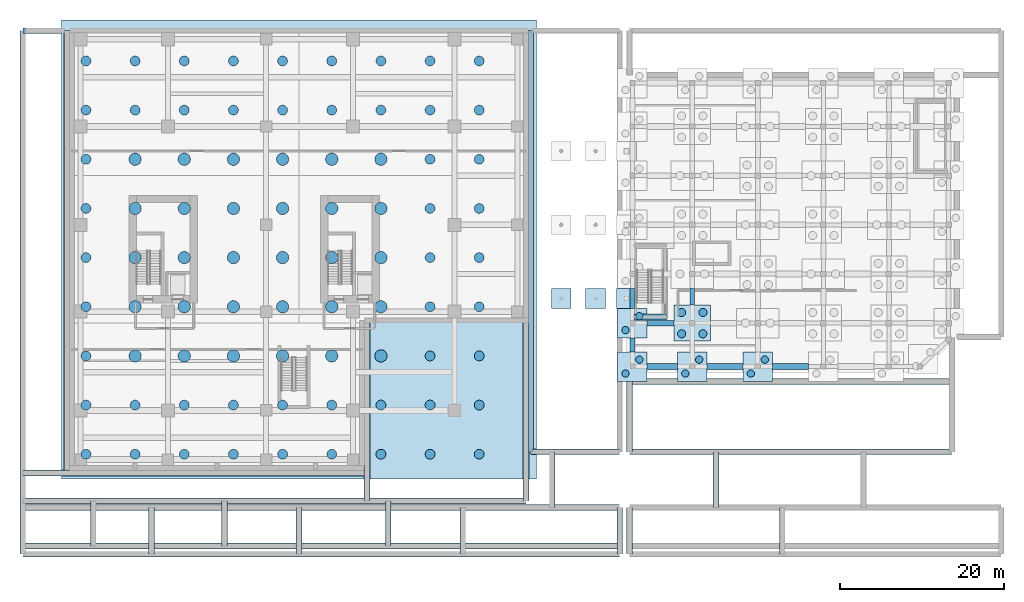
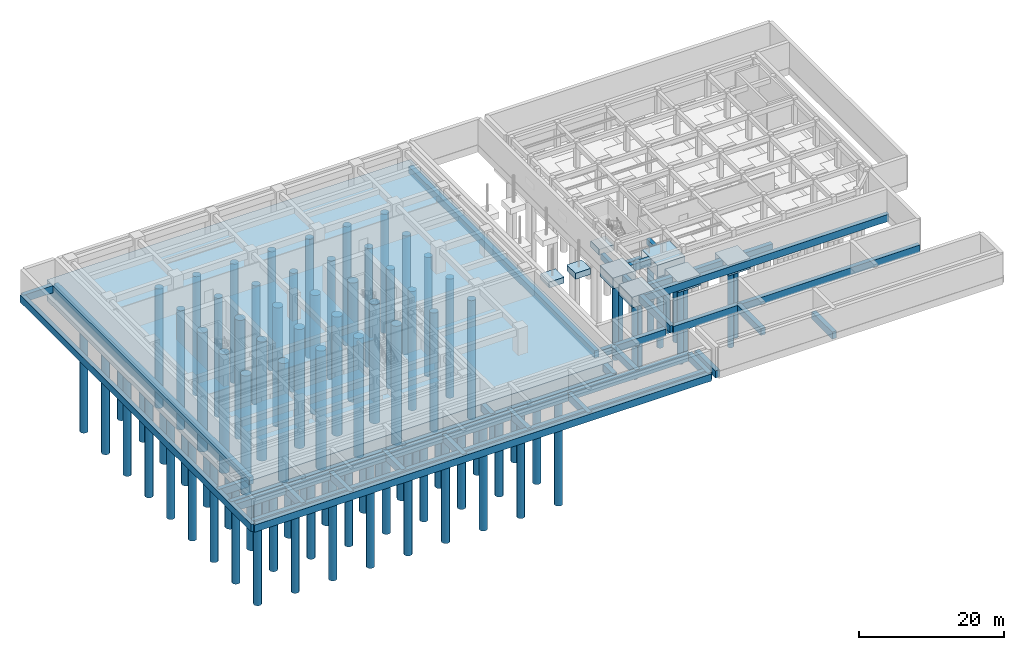
# One storey, part 1 of 14: 93 piles, 43 footings.
"""IFC4 building model written with IfcOpenShell, lengths in metres."""

from ifc_helpers import new_model, si_unit, direction, frame, origin, origin_2d, place, context, subcontext, project, spatial, rectangle, circle, extrude, source, transform, mapped, material, material_profile, profile_set, type_object, element, save


model = new_model("IFC4")

# Units and contexts
model_context = context("Model", 3, precision=1e-05, world=origin(), true_north=direction((0.0, 1.0)))
body_context = subcontext(model_context, "Body", "Model", "MODEL_VIEW")
ifc_project = project(units=[si_unit("LENGTHUNIT", "METRE"), si_unit("AREAUNIT", "SQUARE_METRE"), si_unit("VOLUMEUNIT", "CUBIC_METRE"), si_unit("PLANEANGLEUNIT", "RADIAN"), si_unit("MASSUNIT", "GRAM", prefix="KILO")], contexts=[model_context])

# Site, building, storey
site_placement = place(None, origin())
site = spatial("IfcSite", under=ifc_project, at=site_placement, CompositionType="ELEMENT")
building_placement = place(site_placement, origin())
building = spatial("IfcBuilding", under=site, at=building_placement, Name="Khoralis Quay Care Tower", CompositionType="ELEMENT")
storey_placement = place(building_placement, frame((0.0, 0.0, -4.5)))
storey = spatial("IfcBuildingStorey", under=building, at=storey_placement, Name="B1", CompositionType="ELEMENT", Elevation=-4.5)

# Footing
ifc_material = material(Name="Concrete C50/60", Category="concrete")
footing_type_1 = type_object("IfcFootingType", Name="FT-RAFT-TWR", PredefinedType="PILE_CAP", material=ifc_material)
shared_shape_1 = source(origin(), body_context, "Body", "SweptSolid", [
    extrude(rectangle(XDim=58.0, YDim=56.0, at=origin_2d()), origin(), (0.0, 0.0, 1.0), 3.5),
])
footing_1_placement = place(storey_placement, frame((28.0, 21.0, -3.5), z_axis=(0.0, 0.0, 1.0), x_axis=(1.0, 0.0, 0.0)))
element("IfcFooting", 1, at=footing_1_placement, inside=storey, type_object=footing_type_1, Name="Tower and Podium Piled Raft RF-T1", PredefinedType="PILE_CAP", context=body_context, shape_type="MappedRepresentation", body=[
    mapped(shared_shape_1, transform((0.0, 0.0, 0.0), scale=1.0)),
])

# Piles
ifc_material_profile_1 = material_profile(ifc_material, circle(Radius=0.60009765625, at=origin_2d()), Name="Concrete C50/60")
ifc_profile_set_1 = profile_set([ifc_material_profile_1], Name="Concrete C50/60")
pile_type_1 = type_object("IfcPileType", Name="PL-BORED-1200", PredefinedType="BORED", material=ifc_profile_set_1)
shared_shape_2 = source(origin(), body_context, "Body", "SweptSolid", [
    extrude(circle(Radius=0.60009765625, at=origin_2d()), origin(), (0.0, 0.0, 1.0), 20.10009765625),
])
for number, where, z_axis, x_axis, name in (
    (2, (2.0, -4.0, -3.39990234375), (0.0, 0.0, -1.0), (1.0, 0.0, 0.0), "Tower Bored Pile 001"),
    (3, (2.0, 2.0, -3.39990234375), (0.0, 0.0, -1.0), (1.0, 0.0, 0.0), "Tower Bored Pile 002"),
    (4, (2.0, 8.0, -3.39990234375), (0.0, 0.0, -1.0), (1.0, 0.0, 0.0), "Tower Bored Pile 003"),
    (5, (2.0, 14.0, -3.39990234375), (0.0, 0.0, -1.0), (1.0, 0.0, 0.0), "Tower Bored Pile 004"),
    (6, (2.0, 20.0, -3.39990234375), (0.0, 0.0, -1.0), (1.0, 0.0, 0.0), "Tower Bored Pile 005"),
    (7, (2.0, 26.0, -3.39990234375), (0.0, 0.0, -1.0), (1.0, 0.0, 0.0), "Tower Bored Pile 006"),
    (8, (2.0, 32.0, -3.39990234375), (0.0, 0.0, -1.0), (1.0, 0.0, 0.0), "Tower Bored Pile 007"),
    (9, (2.0, 38.0, -3.39990234375), (0.0, 0.0, -1.0), (1.0, 0.0, 0.0), "Tower Bored Pile 008"),
    (10, (2.0, 44.0, -3.39990234375), (0.0, 0.0, -1.0), (1.0, 0.0, 0.0), "Tower Bored Pile 009"),
    (11, (8.0, -4.0, -3.39990234375), (0.0, 0.0, -1.0), (1.0, 0.0, 0.0), "Tower Bored Pile 010"),
    (12, (8.0, 2.0, -3.39990234375), (0.0, 0.0, -1.0), (1.0, 0.0, 0.0), "Tower Bored Pile 011"),
    (13, (8.0, 38.0, -3.39990234375), (0.0, 0.0, -1.0), (1.0, 0.0, 0.0), "Tower Bored Pile 017"),
    (14, (8.0, 44.0, -3.39990234375), (0.0, 0.0, -1.0), (1.0, 0.0, 0.0), "Tower Bored Pile 018"),
    (15, (14.0, -4.0, -3.39990234375), (0.0, 0.0, -1.0), (1.0, 0.0, 0.0), "Tower Bored Pile 019"),
    (16, (14.0, 2.0, -3.39990234375), (0.0, 0.0, -1.0), (1.0, 0.0, 0.0), "Tower Bored Pile 020"),
    (17, (14.0, 38.0, -3.39990234375), (0.0, 0.0, -1.0), (1.0, 0.0, 0.0), "Tower Bored Pile 026"),
    (18, (14.0, 44.0, -3.39990234375), (0.0, 0.0, -1.0), (1.0, 0.0, 0.0), "Tower Bored Pile 027"),
    (19, (20.0, -4.0, -3.39990234375), (0.0, 0.0, -1.0), (1.0, 0.0, 0.0), "Tower Bored Pile 028"),
    (20, (20.0, 2.0, -3.39990234375), (0.0, 0.0, -1.0), (1.0, 0.0, 0.0), "Tower Bored Pile 029"),
    (21, (20.0, 38.0, -3.39990234375), (0.0, 0.0, -1.0), (1.0, 0.0, 0.0), "Tower Bored Pile 035"),
    (22, (20.0, 44.0, -3.39990234375), (0.0, 0.0, -1.0), (1.0, 0.0, 0.0), "Tower Bored Pile 036"),
    (23, (26.0, -4.0, -3.39990234375), (0.0, 0.0, -1.0), (1.0, 0.0, 0.0), "Tower Bored Pile 037"),
    (24, (26.0, 2.0, -3.39990234375), (0.0, 0.0, -1.0), (1.0, 0.0, 0.0), "Tower Bored Pile 038"),
    (25, (26.0, 38.0, -3.39990234375), (0.0, 0.0, -1.0), (1.0, 0.0, 0.0), "Tower Bored Pile 044"),
    (26, (26.0, 44.0, -3.39990234375), (0.0, 0.0, -1.0), (1.0, 0.0, 0.0), "Tower Bored Pile 045"),
    (27, (32.0, -4.0, -3.39990234375), (0.0, 0.0, -1.0), (1.0, 0.0, 0.0), "Tower Bored Pile 046"),
    (28, (32.0, 2.0, -3.39990234375), (0.0, 0.0, -1.0), (1.0, 0.0, 0.0), "Tower Bored Pile 047"),
    (29, (32.0, 38.0, -3.39990234375), (0.0, 0.0, -1.0), (1.0, 0.0, 0.0), "Tower Bored Pile 053"),
    (30, (32.0, 44.0, -3.39990234375), (0.0, 0.0, -1.0), (1.0, 0.0, 0.0), "Tower Bored Pile 054"),
    (31, (38.0, -4.0, -3.39990234375), (0.0, 0.0, -1.0), (1.0, 0.0, 0.0), "Tower Bored Pile 055"),
    (32, (38.0, 2.0, -3.39990234375), (0.0, 0.0, -1.0), (1.0, 0.0, 0.0), "Tower Bored Pile 056"),
    (33, (38.0, 38.0, -3.39990234375), (0.0, 0.0, -1.0), (1.0, 0.0, 0.0), "Tower Bored Pile 062"),
    (34, (38.0, 44.0, -3.39990234375), (0.0, 0.0, -1.0), (1.0, 0.0, 0.0), "Tower Bored Pile 063"),
    (35, (44.0, -4.0, -3.39990234375), (0.0, 0.0, -1.0), (1.0, 0.0, 0.0), "Tower Bored Pile 064"),
    (36, (44.0, 2.0, -3.39990234375), (0.0, 0.0, -1.0), (1.0, 0.0, 0.0), "Tower Bored Pile 065"),
    (37, (44.0, 8.0, -3.39990234375), (0.0, 0.0, -1.0), (1.0, 0.0, 0.0), "Tower Bored Pile 066"),
    (38, (44.0, 14.0, -3.39990234375), (0.0, 0.0, -1.0), (1.0, 0.0, 0.0), "Tower Bored Pile 067"),
    (39, (44.0, 20.0, -3.39990234375), (0.0, 0.0, -1.0), (1.0, 0.0, 0.0), "Tower Bored Pile 068"),
    (40, (44.0, 26.0, -3.39990234375), (0.0, 0.0, -1.0), (1.0, 0.0, 0.0), "Tower Bored Pile 069"),
    (41, (44.0, 32.0, -3.39990234375), (0.0, 0.0, -1.0), (1.0, 0.0, 0.0), "Tower Bored Pile 070"),
    (42, (44.0, 38.0, -3.39990234375), (0.0, 0.0, -1.0), (1.0, 0.0, 0.0), "Tower Bored Pile 071"),
    (43, (44.0, 44.0, -3.39990234375), (0.0, 0.0, -1.0), (1.0, 0.0, 0.0), "Tower Bored Pile 072"),
    (44, (50.0, -4.0, -3.39990234375), (0.0, 0.0, -1.0), (1.0, 0.0, 0.0), "Tower Bored Pile 073"),
    (45, (50.0, 2.0, -3.39990234375), (0.0, 0.0, -1.0), (1.0, 0.0, 0.0), "Tower Bored Pile 074"),
    (46, (50.0, 8.0, -3.39990234375), (0.0, 0.0, -1.0), (1.0, 0.0, 0.0), "Tower Bored Pile 075"),
    (47, (50.0, 14.0, -3.39990234375), (0.0, 0.0, -1.0), (1.0, 0.0, 0.0), "Tower Bored Pile 076"),
    (48, (50.0, 20.0, -3.39990234375), (0.0, 0.0, -1.0), (1.0, 0.0, 0.0), "Tower Bored Pile 077"),
    (49, (50.0, 26.0, -3.39990234375), (0.0, 0.0, -1.0), (1.0, 0.0, 0.0), "Tower Bored Pile 078"),
    (50, (50.0, 32.0, -3.39990234375), (0.0, 0.0, -1.0), (1.0, 0.0, 0.0), "Tower Bored Pile 079"),
    (51, (50.0, 38.0, -3.39990234375), (0.0, 0.0, -1.0), (1.0, 0.0, 0.0), "Tower Bored Pile 080"),
    (52, (50.0, 44.0, -3.39990234375), (0.0, 0.0, -1.0), (1.0, 0.0, 0.0), "Tower Bored Pile 081"),
):
    element("IfcPile", number, at=place(storey_placement, frame(where, z_axis=z_axis, x_axis=x_axis)), inside=storey, type_object=pile_type_1, Name=name, PredefinedType="BORED", context=body_context, shape_type="MappedRepresentation", body=[
        mapped(shared_shape_2, transform((0.0, 0.0, 0.0), scale=1.0)),
    ])
ifc_material_profile_2 = material_profile(ifc_material, circle(Radius=0.75, at=origin_2d()), Name="Concrete C50/60")
ifc_profile_set_2 = profile_set([ifc_material_profile_2], Name="Concrete C50/60")
pile_type_2 = type_object("IfcPileType", Name="PL-BORED-1500", PredefinedType="BORED", material=ifc_profile_set_2)
shared_shape_3 = source(origin(), body_context, "Body", "SweptSolid", [
    extrude(circle(Radius=0.75, at=origin_2d()), origin(), (0.0, 0.0, 1.0), 20.10009765625),
])
for number, where, z_axis, x_axis, name in (
    (53, (8.0, 8.0, -3.39990234375), (0.0, 0.0, -1.0), (1.0, 0.0, 0.0), "Tower Bored Pile 012"),
    (54, (8.0, 14.0, -3.39990234375), (0.0, 0.0, -1.0), (1.0, 0.0, 0.0), "Tower Bored Pile 013"),
    (55, (8.0, 20.0, -3.39990234375), (0.0, 0.0, -1.0), (1.0, 0.0, 0.0), "Tower Bored Pile 014"),
    (56, (8.0, 26.0, -3.39990234375), (0.0, 0.0, -1.0), (1.0, 0.0, 0.0), "Tower Bored Pile 015"),
    (57, (8.0, 32.0, -3.39990234375), (0.0, 0.0, -1.0), (1.0, 0.0, 0.0), "Tower Bored Pile 016"),
    (58, (14.0, 8.0, -3.39990234375), (0.0, 0.0, -1.0), (1.0, 0.0, 0.0), "Tower Bored Pile 021"),
    (59, (14.0, 14.0, -3.39990234375), (0.0, 0.0, -1.0), (1.0, 0.0, 0.0), "Tower Bored Pile 022"),
    (60, (14.0, 20.0, -3.39990234375), (0.0, 0.0, -1.0), (1.0, 0.0, 0.0), "Tower Bored Pile 023"),
    (61, (14.0, 26.0, -3.39990234375), (0.0, 0.0, -1.0), (1.0, 0.0, 0.0), "Tower Bored Pile 024"),
    (62, (14.0, 32.0, -3.39990234375), (0.0, 0.0, -1.0), (1.0, 0.0, 0.0), "Tower Bored Pile 025"),
    (63, (20.0, 8.0, -3.39990234375), (0.0, 0.0, -1.0), (1.0, 0.0, 0.0), "Tower Bored Pile 030"),
    (64, (20.0, 14.0, -3.39990234375), (0.0, 0.0, -1.0), (1.0, 0.0, 0.0), "Tower Bored Pile 031"),
    (65, (20.0, 20.0, -3.39990234375), (0.0, 0.0, -1.0), (1.0, 0.0, 0.0), "Tower Bored Pile 032"),
    (66, (20.0, 26.0, -3.39990234375), (0.0, 0.0, -1.0), (1.0, 0.0, 0.0), "Tower Bored Pile 033"),
    (67, (20.0, 32.0, -3.39990234375), (0.0, 0.0, -1.0), (1.0, 0.0, 0.0), "Tower Bored Pile 034"),
    (68, (26.0, 8.0, -3.39990234375), (0.0, 0.0, -1.0), (1.0, 0.0, 0.0), "Tower Bored Pile 039"),
    (69, (26.0, 14.0, -3.39990234375), (0.0, 0.0, -1.0), (1.0, 0.0, 0.0), "Tower Bored Pile 040"),
    (70, (26.0, 20.0, -3.39990234375), (0.0, 0.0, -1.0), (1.0, 0.0, 0.0), "Tower Bored Pile 041"),
    (71, (26.0, 26.0, -3.39990234375), (0.0, 0.0, -1.0), (1.0, 0.0, 0.0), "Tower Bored Pile 042"),
    (72, (26.0, 32.0, -3.39990234375), (0.0, 0.0, -1.0), (1.0, 0.0, 0.0), "Tower Bored Pile 043"),
    (73, (32.0, 8.0, -3.39990234375), (0.0, 0.0, -1.0), (1.0, 0.0, 0.0), "Tower Bored Pile 048"),
    (74, (32.0, 14.0, -3.39990234375), (0.0, 0.0, -1.0), (1.0, 0.0, 0.0), "Tower Bored Pile 049"),
    (75, (32.0, 20.0, -3.39990234375), (0.0, 0.0, -1.0), (1.0, 0.0, 0.0), "Tower Bored Pile 050"),
    (76, (32.0, 26.0, -3.39990234375), (0.0, 0.0, -1.0), (1.0, 0.0, 0.0), "Tower Bored Pile 051"),
    (77, (32.0, 32.0, -3.39990234375), (0.0, 0.0, -1.0), (1.0, 0.0, 0.0), "Tower Bored Pile 052"),
    (78, (38.0, 8.0, -3.39990234375), (0.0, 0.0, -1.0), (1.0, 0.0, 0.0), "Tower Bored Pile 057"),
    (79, (38.0, 14.0, -3.39990234375), (0.0, 0.0, -1.0), (1.0, 0.0, 0.0), "Tower Bored Pile 058"),
    (80, (38.0, 20.0, -3.39990234375), (0.0, 0.0, -1.0), (1.0, 0.0, 0.0), "Tower Bored Pile 059"),
    (81, (38.0, 26.0, -3.39990234375), (0.0, 0.0, -1.0), (1.0, 0.0, 0.0), "Tower Bored Pile 060"),
    (82, (38.0, 32.0, -3.39990234375), (0.0, 0.0, -1.0), (1.0, 0.0, 0.0), "Tower Bored Pile 061"),
):
    element("IfcPile", number, at=place(storey_placement, frame(where, z_axis=z_axis, x_axis=x_axis)), inside=storey, type_object=pile_type_2, Name=name, PredefinedType="BORED", context=body_context, shape_type="MappedRepresentation", body=[
        mapped(shared_shape_3, transform((0.0, 0.0, 0.0), scale=1.0)),
    ])

# Footings
footing_type_2 = type_object("IfcFootingType", Name="FT-PC-3600", PredefinedType="PILE_CAP", material=ifc_material)
shared_shape_4 = source(origin(), body_context, "Body", "SweptSolid", [
    extrude(rectangle(XDim=3.60009765625, YDim=3.60009765625, at=origin_2d()), origin(), (0.0, 0.0, 1.0), 1.800048828125),
])
for number, where, z_axis, x_axis, name in (
    (83, (68.699951171875, 6.699951171875, -1.7998046875), (0.0, 0.0, 1.0), (1.0, 0.0, 0.0), "School Pile Cap 01"),
    (84, (68.699951171875, 12.0, -1.7998046875), (0.0, 0.0, 1.0), (1.0, 0.0, 0.0), "School Pile Cap 02"),
    (85, (76.0, 6.699951171875, -1.7998046875), (0.0, 0.0, 1.0), (1.0, 0.0, 0.0), "School Pile Cap 08"),
    (86, (84.0, 6.699951171875, -1.7998046875), (0.0, 0.0, 1.0), (1.0, 0.0, 0.0), "School Pile Cap 15"),
):
    element("IfcFooting", number, at=place(storey_placement, frame(where, z_axis=z_axis, x_axis=x_axis)), inside=storey, type_object=footing_type_2, Name=name, PredefinedType="PILE_CAP", context=body_context, shape_type="MappedRepresentation", body=[
        mapped(shared_shape_4, transform((0.0, 0.0, 0.0), scale=1.0)),
    ])

# Piles
ifc_material_profile_3 = material_profile(ifc_material, circle(Radius=0.449951171875, at=origin_2d()), Name="Concrete C50/60")
ifc_profile_set_3 = profile_set([ifc_material_profile_3], Name="Concrete C50/60")
pile_type_3 = type_object("IfcPileType", Name="PL-BORED-900", PredefinedType="BORED", material=ifc_profile_set_3)
shared_shape_5 = source(origin(), body_context, "Body", "SweptSolid", [
    extrude(circle(Radius=0.449951171875, at=origin_2d()), origin(), (0.0, 0.0, 1.0), 12.800048828125),
])
for number, where, z_axis, x_axis, name in (
    (87, (67.85009765625, 5.85009765625, -1.699951171875), (0.0, 0.0, -1.0), (1.0, 0.0, 0.0), "School Bored Pile 001"),
    (88, (69.550048828125, 7.550048828125, -1.699951171875), (0.0, 0.0, -1.0), (1.0, 0.0, 0.0), "School Bored Pile 002"),
    (89, (67.85009765625, 11.14990234375, -1.699951171875), (0.0, 0.0, -1.0), (1.0, 0.0, 0.0), "School Bored Pile 003"),
    (90, (69.550048828125, 12.85009765625, -1.699951171875), (0.0, 0.0, -1.0), (1.0, 0.0, 0.0), "School Bored Pile 004"),
    (91, (75.14990234375, 5.85009765625, -1.699951171875), (0.0, 0.0, -1.0), (1.0, 0.0, 0.0), "School Bored Pile 015"),
    (92, (76.85009765625, 7.550048828125, -1.699951171875), (0.0, 0.0, -1.0), (1.0, 0.0, 0.0), "School Bored Pile 016"),
    (93, (83.14990234375, 5.85009765625, -1.699951171875), (0.0, 0.0, -1.0), (1.0, 0.0, 0.0), "School Bored Pile 035"),
    (94, (84.85009765625, 7.550048828125, -1.699951171875), (0.0, 0.0, -1.0), (1.0, 0.0, 0.0), "School Bored Pile 036"),
):
    element("IfcPile", number, at=place(storey_placement, frame(where, z_axis=z_axis, x_axis=x_axis)), inside=storey, type_object=pile_type_3, Name=name, PredefinedType="BORED", context=body_context, shape_type="MappedRepresentation", body=[
        mapped(shared_shape_5, transform((0.0, 0.0, 0.0), scale=1.0)),
    ])

# Footing
footing_type_3 = type_object("IfcFootingType", Name="FT-PC-4400", PredefinedType="PILE_CAP", material=ifc_material)
shared_shape_6 = source(origin(), body_context, "Body", "SweptSolid", [
    extrude(rectangle(XDim=4.39990234375, YDim=4.39990234375, at=origin_2d()), origin(), (0.0, 0.0, 1.0), 2.0),
])
footing_2_placement = place(storey_placement, frame((76.0, 12.0, -2.0), z_axis=(0.0, 0.0, 1.0), x_axis=(1.0, 0.0, 0.0)))
element("IfcFooting", 95, at=footing_2_placement, inside=storey, type_object=footing_type_3, Name="School Pile Cap 09", PredefinedType="PILE_CAP", context=body_context, shape_type="MappedRepresentation", body=[
    mapped(shared_shape_6, transform((0.0, 0.0, 0.0), scale=1.0)),
])

# Piles
ifc_material_profile_4 = material_profile(ifc_material, circle(Radius=0.5, at=origin_2d()), Name="Concrete C50/60")
ifc_profile_set_4 = profile_set([ifc_material_profile_4], Name="Concrete C50/60")
pile_type_4 = type_object("IfcPileType", Name="PL-BORED-1000", PredefinedType="BORED", material=ifc_profile_set_4)
shared_shape_7 = source(origin(), body_context, "Body", "SweptSolid", [
    extrude(circle(Radius=0.5, at=origin_2d()), origin(), (0.0, 0.0, 1.0), 12.60009765625),
])
for number, where, z_axis, x_axis, name in (
    (96, (74.699951171875, 10.699951171875, -1.89990234375), (0.0, 0.0, -1.0), (1.0, 0.0, 0.0), "School Bored Pile 017"),
    (97, (77.300048828125, 10.699951171875, -1.89990234375), (0.0, 0.0, -1.0), (1.0, 0.0, 0.0), "School Bored Pile 018"),
    (98, (74.699951171875, 13.300048828125, -1.89990234375), (0.0, 0.0, -1.0), (1.0, 0.0, 0.0), "School Bored Pile 019"),
    (99, (77.300048828125, 13.300048828125, -1.89990234375), (0.0, 0.0, -1.0), (1.0, 0.0, 0.0), "School Bored Pile 020"),
):
    element("IfcPile", number, at=place(storey_placement, frame(where, z_axis=z_axis, x_axis=x_axis)), inside=storey, type_object=pile_type_4, Name=name, PredefinedType="BORED", context=body_context, shape_type="MappedRepresentation", body=[
        mapped(shared_shape_7, transform((0.0, 0.0, 0.0), scale=1.0)),
    ])

# Footings
ifc_material_profile_5 = material_profile(ifc_material, rectangle(XDim=0.699951171875, YDim=1.199951171875, at=origin_2d()), Name="Concrete C50/60")
ifc_profile_set_5 = profile_set([ifc_material_profile_5], Name="Concrete C50/60")
footing_type_4 = type_object("IfcFootingType", Name="FT-GB-700X1200", PredefinedType="FOOTING_BEAM", material=ifc_profile_set_5)
shared_shape_8 = source(origin(), body_context, "Body", "SweptSolid", [
    extrude(rectangle(XDim=0.699951171875, YDim=1.199951171875, at=origin_2d()), origin(), (0.0, 0.0, 1.0), 3.699951171875),
])
footing_3_placement = place(storey_placement, frame((70.5, 6.699951171875, -0.60009765625), z_axis=(1.0, 0.0, 0.0), x_axis=(0.0, 1.0, 0.0)))
element("IfcFooting", 100, at=footing_3_placement, inside=storey, type_object=footing_type_4, Name="School Longitudinal Ground Beam 001", PredefinedType="FOOTING_BEAM", context=body_context, shape_type="MappedRepresentation", body=[
    mapped(shared_shape_8, transform((0.0, 0.0, 0.0), scale=1.0)),
])
shared_shape_9 = source(origin(), body_context, "Body", "SweptSolid", [
    extrude(rectangle(XDim=0.699951171875, YDim=1.199951171875, at=origin_2d()), origin(), (0.0, 0.0, 1.0), 4.39990234375),
])
for number, where, z_axis, x_axis, name in (
    (101, (77.800048828125, 6.699951171875, -0.60009765625), (1.0, 0.0, 0.0), (0.0, 1.0, 0.0), "School Longitudinal Ground Beam 002"),
    (102, (85.800048828125, 6.699951171875, -0.60009765625), (1.0, 0.0, 0.0), (0.0, 1.0, 0.0), "School Longitudinal Ground Beam 003"),
):
    element("IfcFooting", number, at=place(storey_placement, frame(where, z_axis=z_axis, x_axis=x_axis)), inside=storey, type_object=footing_type_4, Name=name, PredefinedType="FOOTING_BEAM", context=body_context, shape_type="MappedRepresentation", body=[
        mapped(shared_shape_9, transform((0.0, 0.0, 0.0), scale=1.0)),
    ])
shared_shape_10 = source(origin(), body_context, "Body", "SweptSolid", [
    extrude(rectangle(XDim=0.699951171875, YDim=1.199951171875, at=origin_2d()), origin(), (0.0, 0.0, 1.0), 3.300048828125),
])
footing_4_placement = place(storey_placement, frame((70.5, 12.0, -0.60009765625), z_axis=(1.0, 0.0, 0.0), x_axis=(0.0, 1.0, 0.0)))
element("IfcFooting", 103, at=footing_4_placement, inside=storey, type_object=footing_type_4, Name="School Longitudinal Ground Beam 005", PredefinedType="FOOTING_BEAM", context=body_context, shape_type="MappedRepresentation", body=[
    mapped(shared_shape_10, transform((0.0, 0.0, 0.0), scale=1.0)),
])
ifc_material_profile_6 = material_profile(ifc_material, rectangle(XDim=0.60009765625, YDim=1.0, at=origin_2d()), Name="Concrete C50/60")
ifc_profile_set_6 = profile_set([ifc_material_profile_6], Name="Concrete C50/60")
footing_type_5 = type_object("IfcFootingType", Name="FT-GB-600X1000", PredefinedType="FOOTING_BEAM", material=ifc_profile_set_6)
shared_shape_11 = source(origin(), body_context, "Body", "SweptSolid", [
    extrude(rectangle(XDim=0.60009765625, YDim=1.0, at=origin_2d()), origin(), (0.0, 0.0, 1.0), 1.699951171875),
])
footing_5_placement = place(storey_placement, frame((68.699951171875, 8.5, -0.5), z_axis=(0.0, 1.0, 0.0), x_axis=(-1.0, 0.0, 0.0)))
element("IfcFooting", 104, at=footing_5_placement, inside=storey, type_object=footing_type_5, Name="School Transverse Ground Beam 035", PredefinedType="FOOTING_BEAM", context=body_context, shape_type="MappedRepresentation", body=[
    mapped(shared_shape_11, transform((0.0, 0.0, 0.0), scale=1.0)),
])
shared_shape_12 = source(origin(), body_context, "Body", "SweptSolid", [
    extrude(rectangle(XDim=0.60009765625, YDim=1.0, at=origin_2d()), origin(), (0.0, 0.0, 1.0), 2.39990234375),
])
footing_6_placement = place(storey_placement, frame((68.699951171875, 13.800048828125, -0.5), z_axis=(0.0, 1.0, 0.0), x_axis=(-1.0, 0.0, 0.0)))
element("IfcFooting", 105, at=footing_6_placement, inside=storey, type_object=footing_type_5, Name="School Transverse Ground Beam 036", PredefinedType="FOOTING_BEAM", context=body_context, shape_type="MappedRepresentation", body=[
    mapped(shared_shape_12, transform((0.0, 0.0, 0.0), scale=1.0)),
])
shared_shape_13 = source(origin(), body_context, "Body", "SweptSolid", [
    extrude(rectangle(XDim=0.60009765625, YDim=1.0, at=origin_2d()), origin(), (0.0, 0.0, 1.0), 2.0),
])
footing_7_placement = place(storey_placement, frame((76.0, 14.199951171875, -0.5), z_axis=(0.0, 1.0, 0.0), x_axis=(-1.0, 0.0, 0.0)))
element("IfcFooting", 106, at=footing_7_placement, inside=storey, type_object=footing_type_5, Name="School Transverse Ground Beam 041", PredefinedType="FOOTING_BEAM", context=body_context, shape_type="MappedRepresentation", body=[
    mapped(shared_shape_13, transform((0.0, 0.0, 0.0), scale=1.0)),
])
footing_type_6 = type_object("IfcFootingType", Name="FT-PAD-2400", PredefinedType="PAD_FOOTING", material=ifc_material)
shared_shape_14 = source(origin(), body_context, "Body", "SweptSolid", [
    extrude(rectangle(XDim=2.39990234375, YDim=2.39990234375, at=origin_2d()), origin(), (0.0, 0.0, 1.0), 1.0),
])
for number, where, z_axis, x_axis, name in (
    (107, (60.0, 15.0, -1.0), (0.0, 0.0, 1.0), (1.0, 0.0, 0.0), "Plaza Link Canopy Pad Footing 01"),
    (108, (64.199951171875, 15.0, -1.0), (0.0, 0.0, 1.0), (1.0, 0.0, 0.0), "Plaza Link Canopy Pad Footing 04"),
    (109, (67.97998046875, 15.0, 1.699951171875), (0.0, 0.0, 1.0), (1.0, 0.0, 0.0), "Movement Joint Grade Bearing Seat Plinth 1"),
):
    element("IfcFooting", number, at=place(storey_placement, frame(where, z_axis=z_axis, x_axis=x_axis)), inside=storey, type_object=footing_type_6, Name=name, PredefinedType="PAD_FOOTING", context=body_context, shape_type="MappedRepresentation", body=[
        mapped(shared_shape_14, transform((0.0, 0.0, 0.0), scale=1.0)),
    ])
shared_shape_15 = source(origin(), body_context, "Body", "SweptSolid", [
    extrude(rectangle(XDim=0.699951171875, YDim=1.199951171875, at=origin_2d()), origin(), (0.0, 0.0, 1.0), 5.5),
])
for number, where, z_axis, x_axis, name in (
    (110, (2.89990234375, -15.199951171875, -0.60400390625), (0.0, 1.0, 0.0), (-1.0, 0.0, 0.0), "Quay Substructure Strip Footing Beam 1"),
    (111, (18.89990234375, -15.199951171875, -0.60400390625), (0.0, 1.0, 0.0), (-1.0, 0.0, 0.0), "Quay Substructure Strip Footing Beam 2"),
    (112, (38.89990234375, -15.199951171875, -0.60400390625), (0.0, 1.0, 0.0), (-1.0, 0.0, 0.0), "Quay Substructure Strip Footing Beam 3"),
):
    element("IfcFooting", number, at=place(storey_placement, frame(where, z_axis=z_axis, x_axis=x_axis)), inside=storey, type_object=footing_type_4, Name=name, PredefinedType="FOOTING_BEAM", context=body_context, shape_type="MappedRepresentation", body=[
        mapped(shared_shape_15, transform((0.0, 0.0, 0.0), scale=1.0)),
    ])
shared_shape_16 = source(origin(), body_context, "Body", "SweptSolid", [
    extrude(rectangle(XDim=0.699951171875, YDim=1.199951171875, at=origin_2d()), origin(), (0.0, 0.0, 1.0), 6.800048828125),
])
for number, where, z_axis, x_axis, name in (
    (113, (58.89990234375, -10.5, -0.60400390625), (0.0, 1.0, 0.0), (-1.0, 0.0, 0.0), "Quay Substructure Strip Footing Beam 4"),
    (114, (78.89990234375, -10.5, -0.60400390625), (0.0, 1.0, 0.0), (-1.0, 0.0, 0.0), "Quay Substructure Strip Footing Beam 5"),
):
    element("IfcFooting", number, at=place(storey_placement, frame(where, z_axis=z_axis, x_axis=x_axis)), inside=storey, type_object=footing_type_4, Name=name, PredefinedType="FOOTING_BEAM", context=body_context, shape_type="MappedRepresentation", body=[
        mapped(shared_shape_16, transform((0.0, 0.0, 0.0), scale=1.0)),
    ])
shared_shape_17 = source(origin(), body_context, "Body", "SweptSolid", [
    extrude(rectangle(XDim=0.699951171875, YDim=1.199951171875, at=origin_2d()), origin(), (0.0, 0.0, 1.0), 63.89990234375),
])
footing_8_placement = place(storey_placement, frame((-5.699951171875, -16.199951171875, -0.60400390625), z_axis=(0.0, 1.0, 0.0), x_axis=(-1.0, 0.0, 0.0)))
element("IfcFooting", 115, at=footing_8_placement, inside=storey, type_object=footing_type_4, Name="Quay Substructure Strip Footing Beam 7", PredefinedType="FOOTING_BEAM", context=body_context, shape_type="MappedRepresentation", body=[
    mapped(shared_shape_17, transform((0.0, 0.0, 0.0), scale=1.0)),
])
shared_shape_18 = source(origin(), body_context, "Body", "SweptSolid", [
    extrude(rectangle(XDim=0.699951171875, YDim=1.199951171875, at=origin_2d()), origin(), (0.0, 0.0, 1.0), 4.68994140625),
])
footing_9_placement = place(storey_placement, frame((-5.699951171875, 47.699951171875, -0.60400390625), z_axis=(1.0, 0.0, 0.0), x_axis=(0.0, 1.0, 0.0)))
element("IfcFooting", 116, at=footing_9_placement, inside=storey, type_object=footing_type_4, Name="Quay Substructure Strip Footing Beam 8", PredefinedType="FOOTING_BEAM", context=body_context, shape_type="MappedRepresentation", body=[
    mapped(shared_shape_18, transform((0.0, 0.0, 0.0), scale=1.0)),
])
shared_shape_19 = source(origin(), body_context, "Body", "SweptSolid", [
    extrude(rectangle(XDim=0.699951171875, YDim=1.199951171875, at=origin_2d()), origin(), (0.0, 0.0, 1.0), 54.0),
])
footing_10_placement = place(storey_placement, frame((-0.300048828125, -6.300048828125, -0.60400390625), z_axis=(0.0, 1.0, 0.0), x_axis=(-1.0, 0.0, 0.0)))
element("IfcFooting", 117, at=footing_10_placement, inside=storey, type_object=footing_type_4, Name="Quay Substructure Strip Footing Beam 9", PredefinedType="FOOTING_BEAM", context=body_context, shape_type="MappedRepresentation", body=[
    mapped(shared_shape_19, transform((0.0, 0.0, 0.0), scale=1.0)),
])
shared_shape_20 = source(origin(), body_context, "Body", "SweptSolid", [
    extrude(rectangle(XDim=0.699951171875, YDim=1.199951171875, at=origin_2d()), origin(), (0.0, 0.0, 1.0), 61.39990234375),
])
footing_11_placement = place(storey_placement, frame((-5.699951171875, -9.699951171875, -0.60400390625), z_axis=(1.0, 0.0, 0.0), x_axis=(0.0, 1.0, 0.0)))
element("IfcFooting", 118, at=footing_11_placement, inside=storey, type_object=footing_type_4, Name="Quay Substructure Strip Footing Beam 10", PredefinedType="FOOTING_BEAM", context=body_context, shape_type="MappedRepresentation", body=[
    mapped(shared_shape_20, transform((0.0, 0.0, 0.0), scale=1.0)),
])
shared_shape_21 = source(origin(), body_context, "Body", "SweptSolid", [
    extrude(rectangle(XDim=0.699951171875, YDim=1.199951171875, at=origin_2d()), origin(), (0.0, 0.0, 1.0), 42.0),
])
footing_12_placement = place(storey_placement, frame((-5.699951171875, -6.300048828125, -0.60400390625), z_axis=(1.0, 0.0, 0.0), x_axis=(0.0, 1.0, 0.0)))
element("IfcFooting", 119, at=footing_12_placement, inside=storey, type_object=footing_type_4, Name="Quay Substructure Strip Footing Beam 11", PredefinedType="FOOTING_BEAM", context=body_context, shape_type="MappedRepresentation", body=[
    mapped(shared_shape_21, transform((0.0, 0.0, 0.0), scale=1.0)),
])
shared_shape_22 = source(origin(), body_context, "Body", "SweptSolid", [
    extrude(rectangle(XDim=0.699951171875, YDim=1.199951171875, at=origin_2d()), origin(), (0.0, 0.0, 1.0), 21.699951171875),
])
for number, where, z_axis, x_axis, name in (
    (120, (36.300048828125, -9.699951171875, -0.60400390625), (0.0, 1.0, 0.0), (-1.0, 0.0, 0.0), "Quay Substructure Strip Footing Beam 12"),
    (121, (55.699951171875, -9.699951171875, -0.60400390625), (0.0, 1.0, 0.0), (-1.0, 0.0, 0.0), "Quay Substructure Strip Footing Beam 13"),
):
    element("IfcFooting", number, at=place(storey_placement, frame(where, z_axis=z_axis, x_axis=x_axis)), inside=storey, type_object=footing_type_4, Name=name, PredefinedType="FOOTING_BEAM", context=body_context, shape_type="MappedRepresentation", body=[
        mapped(shared_shape_22, transform((0.0, 0.0, 0.0), scale=1.0)),
    ])
shared_shape_23 = source(origin(), body_context, "Body", "SweptSolid", [
    extrude(rectangle(XDim=0.699951171875, YDim=1.199951171875, at=origin_2d()), origin(), (0.0, 0.0, 1.0), 51.39990234375),
])
footing_13_placement = place(storey_placement, frame((56.300048828125, -3.699951171875, -0.60400390625), z_axis=(0.0, 1.0, 0.0), x_axis=(-1.0, 0.0, 0.0)))
element("IfcFooting", 122, at=footing_13_placement, inside=storey, type_object=footing_type_4, Name="Quay Substructure Strip Footing Beam 14", PredefinedType="FOOTING_BEAM", context=body_context, shape_type="MappedRepresentation", body=[
    mapped(shared_shape_23, transform((0.0, 0.0, 0.0), scale=1.0)),
])
shared_shape_24 = source(origin(), body_context, "Body", "SweptSolid", [
    extrude(rectangle(XDim=0.699951171875, YDim=1.199951171875, at=origin_2d()), origin(), (0.0, 0.0, 1.0), 10.849853515625),
])
footing_14_placement = place(storey_placement, frame((56.300048828125, -3.699951171875, -0.60400390625), z_axis=(1.0, 0.0, 0.0), x_axis=(0.0, 1.0, 0.0)))
element("IfcFooting", 123, at=footing_14_placement, inside=storey, type_object=footing_type_4, Name="Quay Substructure Strip Footing Beam 16", PredefinedType="FOOTING_BEAM", context=body_context, shape_type="MappedRepresentation", body=[
    mapped(shared_shape_24, transform((0.0, 0.0, 0.0), scale=1.0)),
])
shared_shape_25 = source(origin(), body_context, "Body", "SweptSolid", [
    extrude(rectangle(XDim=0.699951171875, YDim=1.199951171875, at=origin_2d()), origin(), (0.0, 0.0, 1.0), 39.349853515625),
])
for number, where, z_axis, x_axis, name in (
    (124, (68.35009765625, -3.699951171875, -0.60400390625), (1.0, 0.0, 0.0), (0.0, 1.0, 0.0), "Quay Substructure Strip Footing Beam 18"),
    (125, (68.35009765625, 4.8798828125, -0.60400390625), (1.0, 0.0, 0.0), (0.0, 1.0, 0.0), "Quay Substructure Strip Footing Beam 19"),
):
    element("IfcFooting", number, at=place(storey_placement, frame(where, z_axis=z_axis, x_axis=x_axis)), inside=storey, type_object=footing_type_4, Name=name, PredefinedType="FOOTING_BEAM", context=body_context, shape_type="MappedRepresentation", body=[
        mapped(shared_shape_25, transform((0.0, 0.0, 0.0), scale=1.0)),
    ])
shared_shape_26 = source(origin(), body_context, "Body", "SweptSolid", [
    extrude(rectangle(XDim=0.699951171875, YDim=1.199951171875, at=origin_2d()), origin(), (0.0, 0.0, 1.0), 8.579833984375),
])
footing_15_placement = place(storey_placement, frame((68.35009765625, -3.699951171875, -0.60400390625), z_axis=(0.0, 1.0, 0.0), x_axis=(-1.0, 0.0, 0.0)))
element("IfcFooting", 126, at=footing_15_placement, inside=storey, type_object=footing_type_4, Name="Quay Substructure Strip Footing Beam 20", PredefinedType="FOOTING_BEAM", context=body_context, shape_type="MappedRepresentation", body=[
    mapped(shared_shape_26, transform((0.0, 0.0, 0.0), scale=1.0)),
])
shared_shape_27 = source(origin(), body_context, "Body", "SweptSolid", [
    extrude(rectangle(XDim=0.699951171875, YDim=1.199951171875, at=origin_2d()), origin(), (0.0, 0.0, 1.0), 72.849853515625),
])
for number, where, z_axis, x_axis, name in (
    (127, (-5.699951171875, -16.199951171875, -0.60400390625), (1.0, 0.0, 0.0), (0.0, 1.0, 0.0), "Quay Substructure Strip Footing Beam 28"),
    (128, (-5.699951171875, -15.199951171875, -0.60400390625), (1.0, 0.0, 0.0), (0.0, 1.0, 0.0), "Quay Substructure Strip Footing Beam 29"),
    (129, (-5.699951171875, -10.5, -0.60400390625), (1.0, 0.0, 0.0), (0.0, 1.0, 0.0), "Quay Substructure Strip Footing Beam 30"),
):
    element("IfcFooting", number, at=place(storey_placement, frame(where, z_axis=z_axis, x_axis=x_axis)), inside=storey, type_object=footing_type_4, Name=name, PredefinedType="FOOTING_BEAM", context=body_context, shape_type="MappedRepresentation", body=[
        mapped(shared_shape_27, transform((0.0, 0.0, 0.0), scale=1.0)),
    ])
shared_shape_28 = source(origin(), body_context, "Body", "SweptSolid", [
    extrude(rectangle(XDim=0.699951171875, YDim=1.199951171875, at=origin_2d()), origin(), (0.0, 0.0, 1.0), 5.699951171875),
])
for number, where, z_axis, x_axis, name in (
    (130, (67.14990234375, -16.199951171875, -0.60400390625), (0.0, 1.0, 0.0), (-1.0, 0.0, 0.0), "Quay Substructure Strip Footing Beam 31"),
    (131, (10.0, -16.199951171875, -0.60400390625), (0.0, 1.0, 0.0), (-1.0, 0.0, 0.0), "Quay Substructure Strip Footing Beam 32"),
    (132, (28.0, -16.199951171875, -0.60400390625), (0.0, 1.0, 0.0), (-1.0, 0.0, 0.0), "Quay Substructure Strip Footing Beam 33"),
    (133, (48.0, -16.199951171875, -0.60400390625), (0.0, 1.0, 0.0), (-1.0, 0.0, 0.0), "Quay Substructure Strip Footing Beam 34"),
    (134, (68.35009765625, -16.199951171875, -0.60400390625), (0.0, 1.0, 0.0), (-1.0, 0.0, 0.0), "Quay Substructure Strip Footing Beam 38"),
    (135, (87.0, -16.199951171875, -0.60400390625), (0.0, 1.0, 0.0), (-1.0, 0.0, 0.0), "Quay Substructure Strip Footing Beam 39"),
):
    element("IfcFooting", number, at=place(storey_placement, frame(where, z_axis=z_axis, x_axis=x_axis)), inside=storey, type_object=footing_type_4, Name=name, PredefinedType="FOOTING_BEAM", context=body_context, shape_type="MappedRepresentation", body=[
        mapped(shared_shape_28, transform((0.0, 0.0, 0.0), scale=1.0)),
    ])
shared_shape_29 = source(origin(), body_context, "Body", "SweptSolid", [
    extrude(rectangle(XDim=0.699951171875, YDim=1.199951171875, at=origin_2d()), origin(), (0.0, 0.0, 1.0), 3.9599609375),
])
footing_16_placement = place(storey_placement, frame((68.8701171875, 12.7451171875, -0.60400390625), z_axis=(1.0, 0.0, 0.0), x_axis=(0.0, 1.0, 0.0)))
element("IfcFooting", 136, at=footing_16_placement, inside=storey, type_object=footing_type_4, Name="School Stair Shaft Strip Footing 1", PredefinedType="FOOTING_BEAM", context=body_context, shape_type="MappedRepresentation", body=[
    mapped(shared_shape_29, transform((0.0, 0.0, 0.0), scale=1.0)),
])

save(model, "model.ifc")
